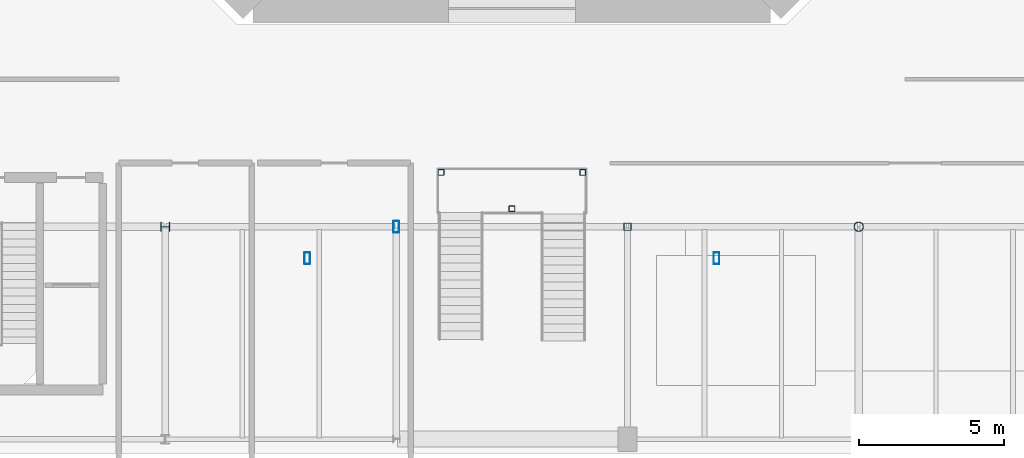
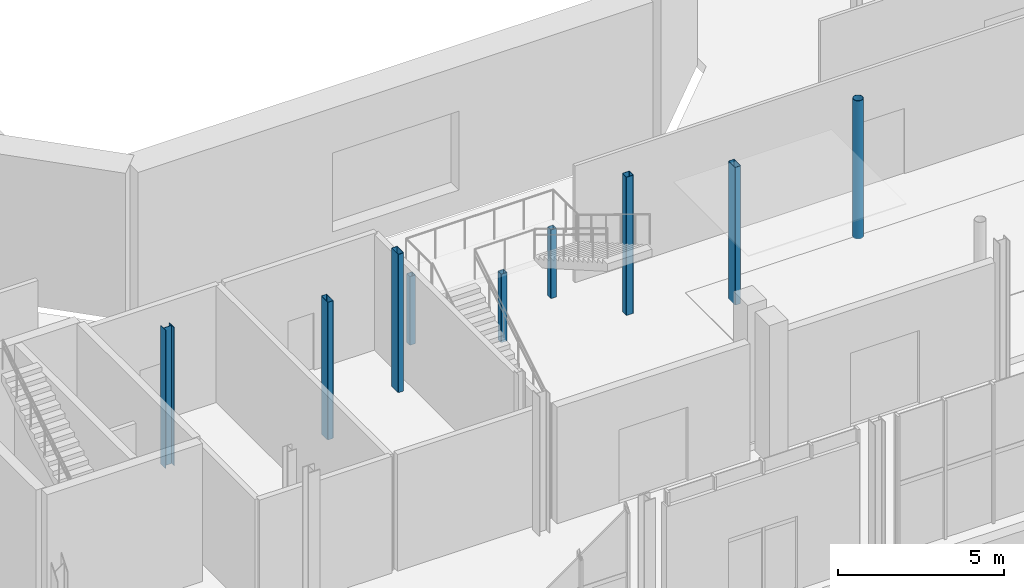
# One storey, part 15 of 87: 9 columns.
"""IFC4 building model written with IfcOpenShell, lengths in metres."""

from ifc_helpers import new_model, si_unit, direction, frame, origin, origin_2d, place, context, subcontext, project, spatial, hollow_rectangle, hollow_circle, i_section, extrude, material, material_profile, profile_set, type_object, element, save


model = new_model("IFC4")

# Units and contexts
model_context = context("Model", 3, precision=1e-05, world=origin(), true_north=direction((0.0, 1.0)))
body_context = subcontext(model_context, "Body", "Model", "MODEL_VIEW")
ifc_project = project(units=[si_unit("LENGTHUNIT", "METRE"), si_unit("AREAUNIT", "SQUARE_METRE"), si_unit("VOLUMEUNIT", "CUBIC_METRE"), si_unit("PLANEANGLEUNIT", "RADIAN"), si_unit("MASSUNIT", "GRAM", prefix="KILO")], contexts=[model_context])

# Site, building, storey
site_placement = place(None, origin())
site = spatial("IfcSite", under=ifc_project, at=site_placement, CompositionType="ELEMENT")
building_placement = place(site_placement, origin())
building = spatial("IfcBuilding", under=site, at=building_placement, Name="Brisemont Oceanarium", CompositionType="ELEMENT")
storey_placement = place(building_placement, origin())
storey = spatial("IfcBuildingStorey", under=building, at=storey_placement, Name="L00", CompositionType="ELEMENT", Elevation=0.0)

# Columns
ifc_material_1 = material(Name="Structural Steel ASTM A500 Gr.C", Category="steel")
ifc_material_profile_1 = material_profile(ifc_material_1, hollow_circle(Radius=0.162109375, WallThickness=0.01171875, at=origin_2d()), Name="HSS12.750X0.500")
ifc_profile_set_1 = profile_set([ifc_material_profile_1], Name="Structural Steel ASTM A500 Gr.C")
column_type_1 = type_object("IfcColumnType", Name="COL-CHS12", PredefinedType="COLUMN", material=ifc_profile_set_1)
column_1_placement = place(storey_placement, frame((96.0, 40.0, 0.0), z_axis=(0.0, 0.0, 1.0), x_axis=(1.0, 0.0, 0.0)))
element("IfcColumn", 1, at=column_1_placement, inside=storey, type_object=column_type_1, Name="V1 L00 column (5,1)", PredefinedType="COLUMN", context=body_context, shape_type="SweptSolid", body=[
    extrude(hollow_circle(Radius=0.162109375, WallThickness=0.01171875, at=origin_2d()), origin(), (0.0, 0.0, 1.0), 5.080078125),
])
ifc_material_2 = material(Name="Structural Steel ASTM A500 Gr.C", Category="steel")
ifc_material_profile_2 = material_profile(ifc_material_2, hollow_rectangle(XDim=0.25390625, YDim=0.25390625, WallThickness=0.01171875, InnerFilletRadius=0.01220703125, OuterFilletRadius=0.02392578125, at=origin_2d()), Name="HSS10X10X1/2")
ifc_profile_set_2 = profile_set([ifc_material_profile_2], Name="Structural Steel ASTM A500 Gr.C")
column_type_2 = type_object("IfcColumnType", Name="COL-HSS10X10", PredefinedType="COLUMN", material=ifc_profile_set_2)
column_2_placement = place(storey_placement, frame((88.0, 40.0, 0.0), z_axis=(0.0, 0.0, 1.0), x_axis=(0.0, 1.0, 0.0)))
element("IfcColumn", 2, at=column_2_placement, inside=storey, type_object=column_type_2, Name="V1 L00 column (4,1)", PredefinedType="COLUMN", context=body_context, shape_type="SweptSolid", body=[
    extrude(hollow_rectangle(XDim=0.25390625, YDim=0.25390625, WallThickness=0.01171875, InnerFilletRadius=0.01220703125, OuterFilletRadius=0.02392578125, at=origin_2d()), origin(), (0.0, 0.0, 1.0), 5.080078125),
])
ifc_material_3 = material(Name="Structural Steel ASTM A500 Gr.C", Category="steel")
ifc_material_profile_3 = material_profile(ifc_material_3, hollow_rectangle(XDim=0.202880859375, YDim=0.406005859375, WallThickness=0.01171875, InnerFilletRadius=0.01220703125, OuterFilletRadius=0.02392578125, at=origin_2d()), Name="HSS16X8X1/2")
ifc_profile_set_3 = profile_set([ifc_material_profile_3], Name="Structural Steel ASTM A500 Gr.C")
column_type_3 = type_object("IfcColumnType", Name="COL-HSS16X8", PredefinedType="COLUMN", material=ifc_profile_set_3)
column_3_placement = place(storey_placement, frame((80.0, 40.0, 0.0), z_axis=(0.0, 0.0, 1.0), x_axis=(1.0, 0.0, 0.0)))
element("IfcColumn", 3, at=column_3_placement, inside=storey, type_object=column_type_3, Name="V1 L00 column (3,1)", PredefinedType="COLUMN", context=body_context, shape_type="SweptSolid", body=[
    extrude(hollow_rectangle(XDim=0.202880859375, YDim=0.406005859375, WallThickness=0.01171875, InnerFilletRadius=0.01220703125, OuterFilletRadius=0.02392578125, at=origin_2d()), origin(), (0.0, 0.0, 1.0), 5.080078125),
])
for number, where, z_axis, x_axis, name in (
    (4, (76.92041015625, 38.908203125, 0.0), (0.0, 0.0, 1.0), (1.0, 0.0, 0.0), "V1 dome drum pier L00.6"),
    (5, (91.07958984375, 38.908203125, 0.0), (0.0, 0.0, 1.0), (1.0, 0.0, 0.0), "V1 dome drum pier L00.7"),
):
    element("IfcColumn", number, at=place(storey_placement, frame(where, z_axis=z_axis, x_axis=x_axis)), inside=storey, type_object=column_type_3, Name=name, PredefinedType="COLUMN", context=body_context, shape_type="SweptSolid", body=[
        extrude(hollow_rectangle(XDim=0.202880859375, YDim=0.406005859375, WallThickness=0.01171875, InnerFilletRadius=0.01220703125, OuterFilletRadius=0.02392578125, at=origin_2d()), origin(), (0.0, 0.0, 1.0), 5.06005859375),
    ])
ifc_material_4 = material(Name="Structural Steel ASTM A500 Gr.C", Category="steel")
ifc_material_profile_4 = material_profile(ifc_material_4, hollow_rectangle(XDim=0.202880859375, YDim=0.202880859375, WallThickness=0.0087890625, InnerFilletRadius=0.009033203125, OuterFilletRadius=0.01806640625, at=origin_2d()), Name="HSS8X8X3/8")
ifc_profile_set_4 = profile_set([ifc_material_profile_4], Name="Structural Steel ASTM A500 Gr.C")
column_type_4 = type_object("IfcColumnType", Name="COL-HSS8X8", PredefinedType="COLUMN", material=ifc_profile_set_4)
for number, where, z_axis, x_axis, name in (
    (6, (81.550048828125, 41.8798828125, 0.0), (0.0, 0.0, 1.0), (1.0, 0.0, 0.0), "ST-11 landing support column W"),
    (7, (86.449951171875, 41.8798828125, 0.0), (0.0, 0.0, 1.0), (1.0, 0.0, 0.0), "ST-11 landing support column E"),
    (8, (84.0, 40.6201171875, 0.0), (0.0, 0.0, 1.0), (1.0, 0.0, 0.0), "ST-11 landing support column C"),
):
    element("IfcColumn", number, at=place(storey_placement, frame(where, z_axis=z_axis, x_axis=x_axis)), inside=storey, type_object=column_type_4, Name=name, PredefinedType="COLUMN", context=body_context, shape_type="SweptSolid", body=[
        extrude(hollow_rectangle(XDim=0.202880859375, YDim=0.202880859375, WallThickness=0.0087890625, InnerFilletRadius=0.009033203125, OuterFilletRadius=0.01806640625, at=origin_2d()), origin(), (0.0, 0.0, 1.0), 2.52001953125),
    ])
ifc_material_5 = material(Name="Structural Steel ASTM A992 Gr.50", Category="steel")
ifc_material_profile_5 = material_profile(ifc_material_5, i_section(OverallWidth=0.305908203125, OverallDepth=0.31103515625, WebThickness=0.010986328125, FlangeThickness=0.01708984375, FilletRadius=0.012939453125, at=origin_2d()), Name="W12X72")
ifc_profile_set_5 = profile_set([ifc_material_profile_5], Name="Structural Steel ASTM A992 Gr.50")
column_type_5 = type_object("IfcColumnType", Name="COL-W12X72", PredefinedType="COLUMN", material=ifc_profile_set_5)
column_4_placement = place(storey_placement, frame((72.0, 40.0, 0.0), z_axis=(0.0, 0.0, 1.0), x_axis=(0.0, 1.0, 0.0)))
element("IfcColumn", 9, at=column_4_placement, inside=storey, type_object=column_type_5, Name="V1 L00 column (2,1)", PredefinedType="COLUMN", context=body_context, shape_type="SweptSolid", body=[
    extrude(i_section(OverallWidth=0.305908203125, OverallDepth=0.31103515625, WebThickness=0.010986328125, FlangeThickness=0.01708984375, FilletRadius=0.012939453125, at=origin_2d()), origin(), (0.0, 0.0, 1.0), 5.080078125),
])

save(model, "model.ifc")
